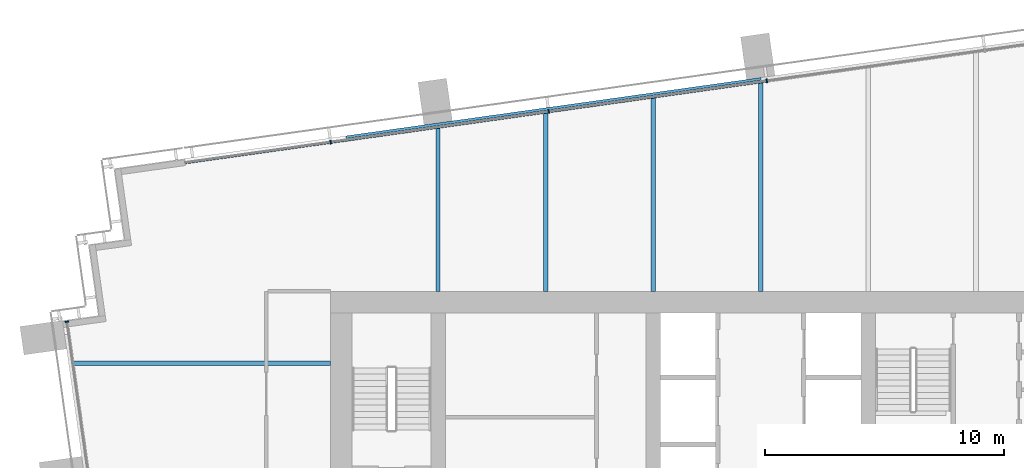
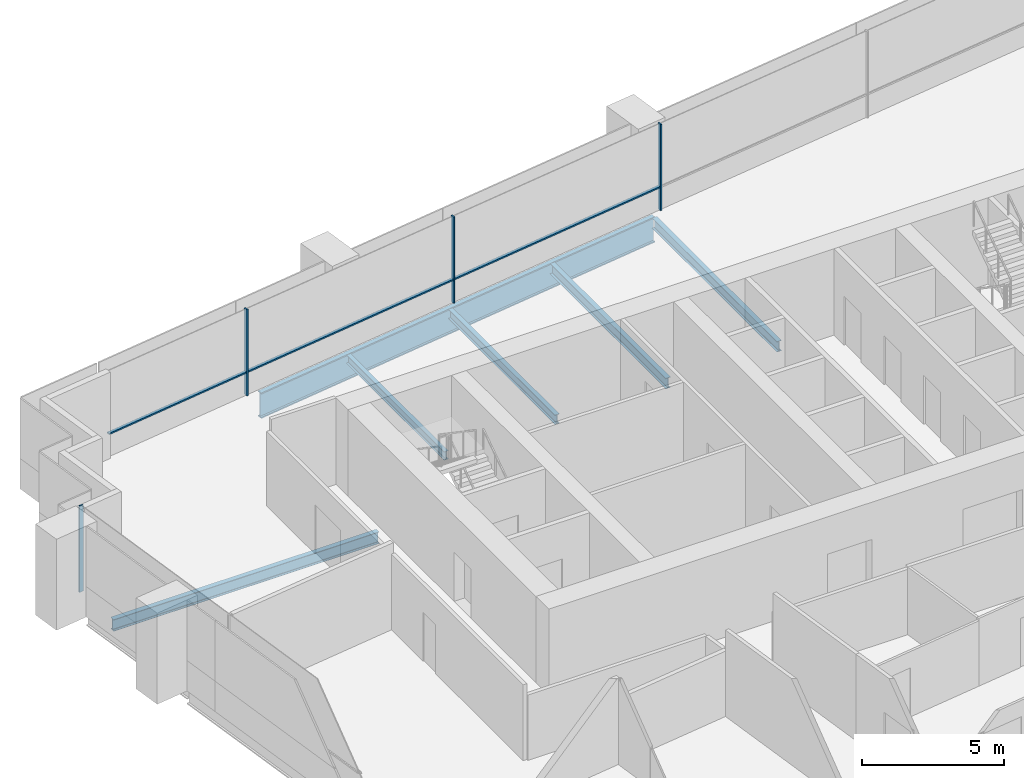
# One storey, part 6 of 18: 7 members, 6 beams, 2 elements without a shape of their own.
"""IFC4 building model written with IfcOpenShell, lengths in metres."""

from ifc_helpers import new_model, si_unit, direction, frame, origin, origin_2d, place, context, subcontext, project, spatial, rectangle, i_section, extrude, material, material_profile, profile_set, type_object, element, aggregate, save


model = new_model("IFC4")

# Units and contexts
model_context = context("Model", 3, precision=1e-05, world=origin(), true_north=direction((0.0, 1.0)))
body_context = subcontext(model_context, "Body", "Model", "MODEL_VIEW")
ifc_project = project(units=[si_unit("LENGTHUNIT", "METRE"), si_unit("AREAUNIT", "SQUARE_METRE"), si_unit("VOLUMEUNIT", "CUBIC_METRE"), si_unit("PLANEANGLEUNIT", "RADIAN"), si_unit("MASSUNIT", "GRAM", prefix="KILO")], contexts=[model_context])

# Site, building, storey
site_placement = place(None, origin())
site = spatial("IfcSite", under=ifc_project, at=site_placement, CompositionType="ELEMENT")
building_placement = place(site_placement, origin())
building = spatial("IfcBuilding", under=site, at=building_placement, Name="Rattan Terrace Tower", CompositionType="ELEMENT")
storey_placement = place(building_placement, frame((0.0, 0.0, 188.0)))
storey = spatial("IfcBuildingStorey", under=building, at=storey_placement, Name="L43", CompositionType="ELEMENT", Elevation=188.0)

# Curtain wall, members
ifc_material_1 = material(Name="Aluminium and glass", Category="aluminium")
curtain_wall_type = type_object("IfcCurtainWallType", Name="Facade Unitised Curtain Wall", PredefinedType="NOTDEFINED", material=ifc_material_1)
curtain_wall_1_placement = place(storey_placement, origin())
curtain_wall_1 = element("IfcCurtainWall", 1, at=curtain_wall_1_placement, inside=storey, type_object=curtain_wall_type, Name="Curtain wall L43-2", PredefinedType="NOTDEFINED")
ifc_material_2 = material(Name="Aluminium", Category="aluminium")
ifc_material_profile_1 = material_profile(ifc_material_2, rectangle(XDim=0.06005859375, YDim=0.159912109375, at=origin_2d()), Name="Aluminium 60x160")
ifc_profile_set_1 = profile_set([ifc_material_profile_1], Name="Aluminium")
member_type_1 = type_object("IfcMemberType", Name="Facade CW Mullion 60x160", PredefinedType="MULLION", material=ifc_profile_set_1)
member_1_placement = place(storey_placement, frame((0.25, 16.3125, 0.0), z_axis=(0.0, 0.0, 1.0), x_axis=(-0.990269702686, -0.139161474347, 0.0)))
member_1 = element("IfcMember", 2, at=member_1_placement, type_object=member_type_1, Name="Mullion cwl-L43-002.3", PredefinedType="MULLION", context=body_context, shape_type="SweptSolid", body=[
    extrude(rectangle(XDim=0.06005859375, YDim=0.159912109375, at=origin_2d()), origin(), (0.0, 0.0, 1.0), 3.699951171875),
])
member_2_placement = place(storey_placement, frame((-8.873291015625, 15.0302734375, 0.0), z_axis=(0.0, 0.0, 1.0), x_axis=(-0.990269702686, -0.139161474347, 0.0)))
member_2 = element("IfcMember", 3, at=member_2_placement, type_object=member_type_1, Name="Mullion cwl-L43-002.4", PredefinedType="MULLION", context=body_context, shape_type="SweptSolid", body=[
    extrude(rectangle(XDim=0.06005859375, YDim=0.159912109375, at=origin_2d()), origin(), (0.0, 0.0, 1.0), 3.699951171875),
])
member_3_placement = place(storey_placement, frame((-17.996826171875, 13.748291015625, 0.0), z_axis=(0.0, 0.0, 1.0), x_axis=(-0.990269702686, -0.139161474347, 0.0)))
member_3 = element("IfcMember", 4, at=member_3_placement, type_object=member_type_1, Name="Mullion cwl-L43-002.5", PredefinedType="MULLION", context=body_context, shape_type="SweptSolid", body=[
    extrude(rectangle(XDim=0.06005859375, YDim=0.159912109375, at=origin_2d()), origin(), (0.0, 0.0, 1.0), 3.699951171875),
])

# Curtain wall, member
curtain_wall_2_placement = place(storey_placement, origin())
curtain_wall_2 = element("IfcCurtainWall", 5, at=curtain_wall_2_placement, inside=storey, type_object=curtain_wall_type, Name="Curtain wall L43-3", PredefinedType="NOTDEFINED")
member_4_placement = place(storey_placement, frame((-29.037109375, 6.2333984375, 0.0), z_axis=(0.0, 0.0, 1.0), x_axis=(0.139190856006, -0.99026557327, 0.0)))
member_4 = element("IfcMember", 6, at=member_4_placement, type_object=member_type_1, Name="Mullion cwl-L43-003.1", PredefinedType="MULLION", context=body_context, shape_type="SweptSolid", body=[
    extrude(rectangle(XDim=0.06005859375, YDim=0.159912109375, at=origin_2d()), origin(), (0.0, 0.0, 1.0), 3.699951171875),
])
aggregate(curtain_wall_2, [member_4])

# Member
ifc_material_3 = material(Name="Aluminium", Category="aluminium")
ifc_material_profile_2 = material_profile(ifc_material_3, rectangle(XDim=0.1201171875, YDim=0.06005859375, at=origin_2d()), Name="Aluminium 120x60")
ifc_profile_set_2 = profile_set([ifc_material_profile_2], Name="Aluminium")
member_type_2 = type_object("IfcMemberType", Name="Facade CW Transom 120x60", PredefinedType="USERDEFINED", material=ifc_profile_set_2)
member_5_placement = place(storey_placement, frame((0.22021484375, 16.308349609375, 1.0), z_axis=(-0.990267035849, -0.139180450171, 0.0), x_axis=(0.139180450171, -0.990267035849, 0.0)))
member_5 = element("IfcMember", 7, at=member_5_placement, type_object=member_type_2, Name="Transom cwl-L43-002.3", ObjectType="TRANSOM", PredefinedType="USERDEFINED", context=body_context, shape_type="SweptSolid", body=[
    extrude(rectangle(XDim=0.1201171875, YDim=0.06005859375, at=origin_2d()), origin(), (0.0, 0.0, 1.0), 9.153076171875),
])

member_6_placement = place(storey_placement, frame((-8.903076171875, 15.026123046875, 1.0), z_axis=(-0.990270711765, -0.139154293575, 0.0), x_axis=(0.139154293575, -0.990270711765, 0.0)))
member_6 = element("IfcMember", 8, at=member_6_placement, type_object=member_type_2, Name="Transom cwl-L43-002.4", ObjectType="TRANSOM", PredefinedType="USERDEFINED", context=body_context, shape_type="SweptSolid", body=[
    extrude(rectangle(XDim=0.1201171875, YDim=0.06005859375, at=origin_2d()), origin(), (0.0, 0.0, 1.0), 9.153076171875),
])

member_7_placement = place(storey_placement, frame((-18.0263671875, 13.744140625, 1.0), z_axis=(-0.990267752185, -0.139175353357, 0.0), x_axis=(0.139175353357, -0.990267752185, 0.0)))
member_7 = element("IfcMember", 9, at=member_7_placement, type_object=member_type_2, Name="Transom cwl-L43-002.5", ObjectType="TRANSOM", PredefinedType="USERDEFINED", context=body_context, shape_type="SweptSolid", body=[
    extrude(rectangle(XDim=0.1201171875, YDim=0.06005859375, at=origin_2d()), origin(), (0.0, 0.0, 1.0), 6.11865234375),
])

aggregate(curtain_wall_1, [member_1, member_2, member_3, member_5, member_6, member_7])

# Beams
ifc_material_4 = material(Name="Steel S460", Category="steel")
ifc_material_profile_3 = material_profile(ifc_material_4, i_section(OverallWidth=0.179931640625, OverallDepth=1.10009765625, WebThickness=0.01611328125, FlangeThickness=0.050048828125, at=origin_2d()), Name="PG 1100x180-16-50")
ifc_profile_set_3 = profile_set([ifc_material_profile_3], Name="Steel S460")
beam_type_1 = type_object("IfcBeamType", Name="Frame edge girder PG 1100x180-16-50", PredefinedType="SPANDREL", material=ifc_profile_set_3)
beam_1_placement = place(storey_placement, frame((-17.347900390625, 13.9208984375, -0.75), z_axis=(0.990273554652, 0.139134061096, 0.0), x_axis=(-0.139134061096, 0.990273554652, 0.0)))
element("IfcBeam", 10, at=beam_1_placement, inside=storey, type_object=beam_type_1, Name="gdr-L43-006", PredefinedType="SPANDREL", context=body_context, shape_type="SweptSolid", body=[
    extrude(i_section(OverallWidth=0.179931640625, OverallDepth=1.10009765625, WebThickness=0.01611328125, FlangeThickness=0.050048828125, at=origin_2d()), origin(), (0.0, 0.0, 1.0), 17.53125),
])
ifc_material_5 = material(Name="Steel S355", Category="steel")
ifc_material_profile_4 = material_profile(ifc_material_5, i_section(OverallWidth=0.169921875, OverallDepth=0.360107421875, WebThickness=0.008056640625, FlangeThickness=0.0126953125, FilletRadius=0.01806640625, at=origin_2d()), Name="IPE 360")
ifc_profile_set_4 = profile_set([ifc_material_profile_4], Name="Steel S355")
beam_type_2 = type_object("IfcBeamType", Name="Frame floor beam IPE 360", PredefinedType="JOIST", material=ifc_profile_set_4)
beam_2_placement = place(storey_placement, frame((-13.5, 7.5, -0.3798828125), z_axis=(0.0, 1.0, 0.0), x_axis=(-1.0, 0.0, 0.0)))
element("IfcBeam", 11, at=beam_2_placement, inside=storey, type_object=beam_type_2, Name="bm-L43-016", PredefinedType="JOIST", context=body_context, shape_type="SweptSolid", body=[
    extrude(i_section(OverallWidth=0.169921875, OverallDepth=0.360107421875, WebThickness=0.008056640625, FlangeThickness=0.0126953125, FilletRadius=0.01806640625, at=origin_2d()), origin(), (0.0, 0.0, 1.0), 6.85888671875),
])
ifc_material_6 = material(Name="Steel S355", Category="steel")
ifc_material_profile_5 = material_profile(ifc_material_6, i_section(OverallWidth=0.179931640625, OverallDepth=0.39990234375, WebThickness=0.008544921875, FlangeThickness=0.013427734375, FilletRadius=0.02099609375, at=origin_2d()), Name="IPE 400")
ifc_profile_set_5 = profile_set([ifc_material_profile_5], Name="Steel S355")
beam_type_3 = type_object("IfcBeamType", Name="Frame floor beam IPE 400", PredefinedType="JOIST", material=ifc_profile_set_5)
beam_3_placement = place(storey_placement, frame((-9.0, 7.5, -0.39990234375), z_axis=(0.0, 1.0, 0.0), x_axis=(-1.0, 0.0, 0.0)))
element("IfcBeam", 12, at=beam_3_placement, inside=storey, type_object=beam_type_3, Name="bm-L43-017", PredefinedType="JOIST", context=body_context, shape_type="SweptSolid", body=[
    extrude(i_section(OverallWidth=0.179931640625, OverallDepth=0.39990234375, WebThickness=0.008544921875, FlangeThickness=0.013427734375, FilletRadius=0.02099609375, at=origin_2d()), origin(), (0.0, 0.0, 1.0), 7.489990234375),
])
ifc_material_7 = material(Name="Steel S355", Category="steel")
ifc_material_profile_6 = material_profile(ifc_material_7, i_section(OverallWidth=0.18994140625, OverallDepth=0.449951171875, WebThickness=0.009521484375, FlangeThickness=0.0146484375, FilletRadius=0.02099609375, at=origin_2d()), Name="IPE 450")
ifc_profile_set_6 = profile_set([ifc_material_profile_6], Name="Steel S355")
beam_type_4 = type_object("IfcBeamType", Name="Frame floor beam IPE 450", PredefinedType="JOIST", material=ifc_profile_set_6)
beam_4_placement = place(storey_placement, frame((-4.5, 7.5, -0.425048828125), z_axis=(0.0, 1.0, 0.0), x_axis=(-1.0, 0.0, 0.0)))
element("IfcBeam", 13, at=beam_4_placement, inside=storey, type_object=beam_type_4, Name="bm-L43-018", PredefinedType="JOIST", context=body_context, shape_type="SweptSolid", body=[
    extrude(i_section(OverallWidth=0.18994140625, OverallDepth=0.449951171875, WebThickness=0.009521484375, FlangeThickness=0.0146484375, FilletRadius=0.02099609375, at=origin_2d()), origin(), (0.0, 0.0, 1.0), 8.1220703125),
])
beam_5_placement = place(storey_placement, frame((0.0, 7.5, -0.425048828125), z_axis=(0.0, 1.0, 0.0), x_axis=(-1.0, 0.0, 0.0)))
element("IfcBeam", 14, at=beam_5_placement, inside=storey, type_object=beam_type_4, Name="bm-L43-019", PredefinedType="JOIST", context=body_context, shape_type="SweptSolid", body=[
    extrude(i_section(OverallWidth=0.18994140625, OverallDepth=0.449951171875, WebThickness=0.009521484375, FlangeThickness=0.0146484375, FilletRadius=0.02099609375, at=origin_2d()), origin(), (0.0, 0.0, 1.0), 8.75390625),
])
ifc_material_8 = material(Name="Steel S355", Category="steel")
ifc_material_profile_7 = material_profile(ifc_material_8, i_section(OverallWidth=0.199951171875, OverallDepth=0.5, WebThickness=0.01025390625, FlangeThickness=0.01611328125, FilletRadius=0.02099609375, at=origin_2d()), Name="IPE 500")
ifc_profile_set_7 = profile_set([ifc_material_profile_7], Name="Steel S355")
beam_type_5 = type_object("IfcBeamType", Name="Frame floor beam IPE 500", PredefinedType="JOIST", material=ifc_profile_set_7)
beam_6_placement = place(storey_placement, frame((-28.77001953125, 4.5, -0.449951171875), z_axis=(1.0, 0.0, 0.0), x_axis=(0.0, 1.0, 0.0)))
element("IfcBeam", 15, at=beam_6_placement, inside=storey, type_object=beam_type_5, Name="bm-L43-014", PredefinedType="JOIST", context=body_context, shape_type="SweptSolid", body=[
    extrude(i_section(OverallWidth=0.199951171875, OverallDepth=0.5, WebThickness=0.01025390625, FlangeThickness=0.01611328125, FilletRadius=0.02099609375, at=origin_2d()), origin(), (0.0, 0.0, 1.0), 10.77001953125),
])

save(model, "model.ifc")
